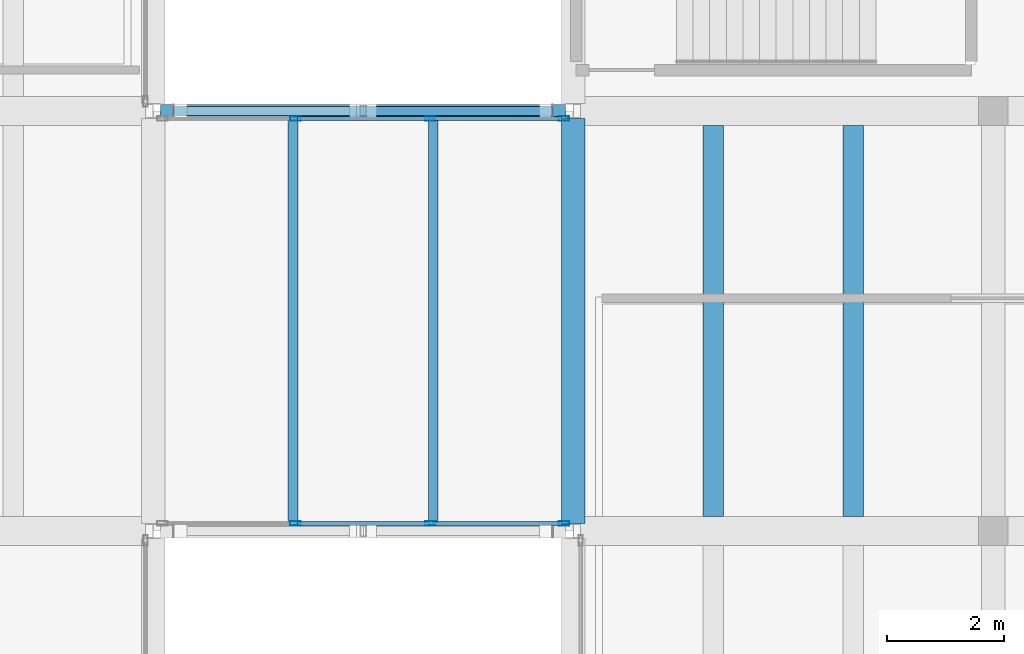
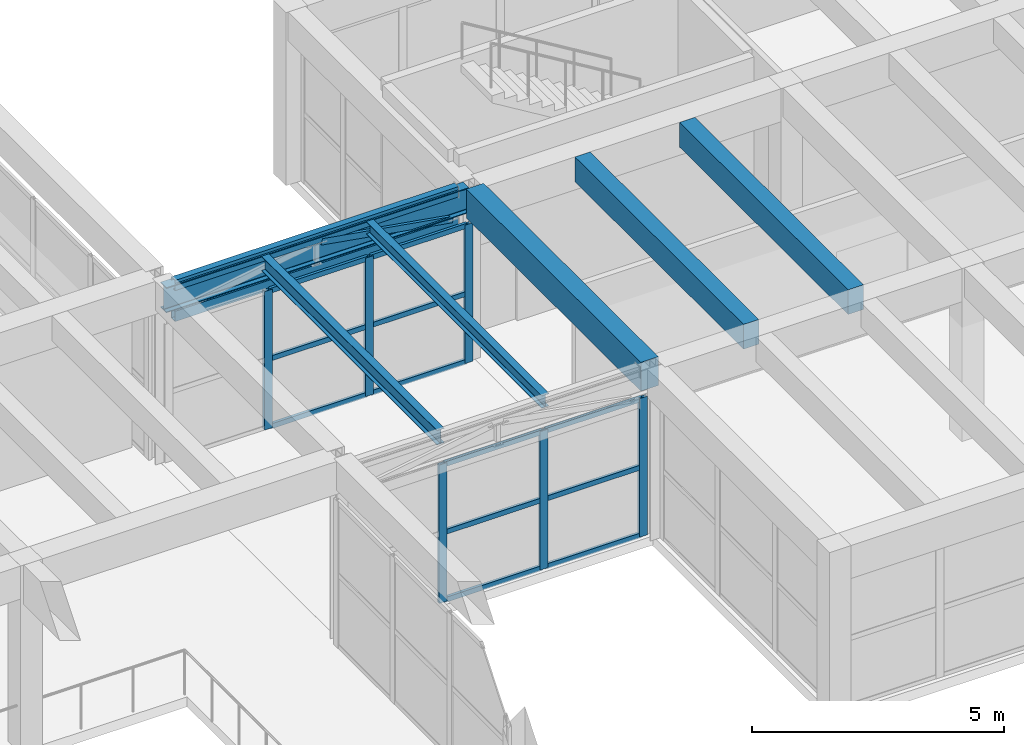
# One storey, part 52 of 153: 21 members, 6 beams, 2 elements without a shape of their own.
"""IFC4 building model written with IfcOpenShell, lengths in metres."""

from ifc_helpers import new_model, si_unit, direction, frame, origin, origin_2d, place, context, subcontext, project, spatial, rectangle, hollow_rectangle, i_section, extrude, material, material_profile, profile_set, type_object, element, aggregate, save


model = new_model("IFC4")

# Units and contexts
model_context = context("Model", 3, precision=1e-05, world=origin(), true_north=direction((0.0, 1.0)))
body_context = subcontext(model_context, "Body", "Model", "MODEL_VIEW")
ifc_project = project(units=[si_unit("LENGTHUNIT", "METRE"), si_unit("AREAUNIT", "SQUARE_METRE"), si_unit("VOLUMEUNIT", "CUBIC_METRE"), si_unit("PLANEANGLEUNIT", "RADIAN"), si_unit("MASSUNIT", "GRAM", prefix="KILO")], contexts=[model_context])

# Site, building, storey
site_placement = place(None, origin())
site = spatial("IfcSite", under=ifc_project, at=site_placement, CompositionType="ELEMENT")
building_placement = place(site_placement, origin())
building = spatial("IfcBuilding", under=site, at=building_placement, Name="Bramvelor Terrace Health Centre", CompositionType="ELEMENT")
storey_placement = place(building_placement, frame((0.0, 0.0, 4.800048828125)))
storey = spatial("IfcBuildingStorey", under=building, at=storey_placement, Name="L02", CompositionType="ELEMENT", Elevation=4.800048828125)

# Beams
ifc_material_1 = material(Name="Concrete C40/50", Category="concrete")
ifc_material_profile_1 = material_profile(ifc_material_1, rectangle(XDim=0.39990234375, YDim=0.699951171875, at=origin_2d()), Name="RC 400x700")
ifc_profile_set_1 = profile_set([ifc_material_profile_1], Name="Concrete C40/50")
beam_type_1 = type_object("IfcBeamType", Name="BM-RC-G700", PredefinedType="BEAM", material=ifc_profile_set_1)
beam_1_placement = place(storey_placement, frame((100.800048828125, 50.530029296875, 3.849853515625), z_axis=(0.0, 1.0, 0.0), x_axis=(-1.0, 0.0, 0.0)))
element("IfcBeam", 1, at=beam_1_placement, inside=storey, type_object=beam_type_1, Name="L02 Floor Girder", PredefinedType="BEAM", context=body_context, shape_type="SweptSolid", body=[
    extrude(rectangle(XDim=0.39990234375, YDim=0.699951171875, at=origin_2d()), origin(), (0.0, 0.0, 1.0), 6.93994140625),
])
ifc_material_2 = material(Name="Concrete C40/50", Category="concrete")
ifc_material_profile_2 = material_profile(ifc_material_2, rectangle(XDim=0.35009765625, YDim=0.60009765625, at=origin_2d()), Name="RC 350x600")
ifc_profile_set_2 = profile_set([ifc_material_profile_2], Name="Concrete C40/50")
beam_type_2 = type_object("IfcBeamType", Name="BM-RC-J600", PredefinedType="JOIST", material=ifc_profile_set_2)
for number, where, z_axis, x_axis, name in (
    (2, (103.199951171875, 50.64990234375, 3.89990234375), (0.0, 1.0, 0.0), (-1.0, 0.0, 0.0), "L02 Secondary Floor Joist"),
    (3, (105.60009765625, 50.64990234375, 3.89990234375), (0.0, 1.0, 0.0), (-1.0, 0.0, 0.0), "L02 Secondary Floor Joist"),
):
    element("IfcBeam", number, at=place(storey_placement, frame(where, z_axis=z_axis, x_axis=x_axis)), inside=storey, type_object=beam_type_2, Name=name, PredefinedType="JOIST", context=body_context, shape_type="SweptSolid", body=[
        extrude(rectangle(XDim=0.35009765625, YDim=0.60009765625, at=origin_2d()), origin(), (0.0, 0.0, 1.0), 6.7001953125),
    ])
ifc_material_3 = material(Name="Steel S355J2", Category="steel")
ifc_material_profile_3 = material_profile(ifc_material_3, i_section(OverallWidth=0.1650390625, OverallDepth=0.303466796875, WebThickness=0.006103515625, FlangeThickness=0.01025390625, FilletRadius=0.0087890625, at=origin_2d()), Name="UB 305x165x40")
ifc_profile_set_3 = profile_set([ifc_material_profile_3], Name="Steel S355J2")
beam_type_3 = type_object("IfcBeamType", Name="BM-STL-UB305", PredefinedType="JOIST", material=ifc_profile_set_3)
beam_2_placement = place(storey_placement, frame((98.39990234375, 50.514404296875, 4.04833984375), z_axis=(0.0, 1.0, 0.0), x_axis=(-1.0, 0.0, 0.0)))
element("IfcBeam", 4, at=beam_2_placement, inside=storey, type_object=beam_type_3, Name="L02 Secondary Floor Joist", PredefinedType="JOIST", context=body_context, shape_type="SweptSolid", body=[
    extrude(i_section(OverallWidth=0.1650390625, OverallDepth=0.303466796875, WebThickness=0.006103515625, FlangeThickness=0.01025390625, FilletRadius=0.0087890625, at=origin_2d()), origin(), (0.0, 0.0, 1.0), 6.97119140625),
])
ifc_material_4 = material(Name="Steel S355J2", Category="steel")
ifc_material_profile_4 = material_profile(ifc_material_4, i_section(OverallWidth=0.17138671875, OverallDepth=0.35498046875, WebThickness=0.00732421875, FlangeThickness=0.011474609375, FilletRadius=0.01025390625, at=origin_2d()), Name="UB 356x171x51")
ifc_profile_set_4 = profile_set([ifc_material_profile_4], Name="Steel S355J2")
beam_type_4 = type_object("IfcBeamType", Name="BM-STL-UB356", PredefinedType="JOIST", material=ifc_profile_set_4)
beam_3_placement = place(storey_placement, frame((96.0, 50.514404296875, 4.0224609375), z_axis=(0.0, 1.0, 0.0), x_axis=(-1.0, 0.0, 0.0)))
element("IfcBeam", 5, at=beam_3_placement, inside=storey, type_object=beam_type_4, Name="L02 Secondary Floor Joist", PredefinedType="JOIST", context=body_context, shape_type="SweptSolid", body=[
    extrude(i_section(OverallWidth=0.17138671875, OverallDepth=0.35498046875, WebThickness=0.00732421875, FlangeThickness=0.011474609375, FilletRadius=0.01025390625, at=origin_2d()), origin(), (0.0, 0.0, 1.0), 6.97119140625),
])
ifc_material_5 = material(Name="Steel S355J2", Category="steel")
ifc_material_profile_5 = material_profile(ifc_material_5, i_section(OverallWidth=0.22900390625, OverallDepth=0.6123046875, WebThickness=0.011962890625, FlangeThickness=0.01953125, FilletRadius=0.0126953125, at=origin_2d()), Name="UB 610x229x125")
ifc_profile_set_5 = profile_set([ifc_material_profile_5], Name="Steel S355J2")
beam_type_5 = type_object("IfcBeamType", Name="BM-STL-UB610", PredefinedType="BEAM", material=ifc_profile_set_5)
beam_4_placement = place(storey_placement, frame((93.72802734375, 57.60009765625, 3.893798828125), z_axis=(1.0, 0.0, 0.0), x_axis=(0.0, 1.0, 0.0)))
element("IfcBeam", 6, at=beam_4_placement, inside=storey, type_object=beam_type_5, Name="L02 Floor Girder", PredefinedType="BEAM", context=body_context, shape_type="SweptSolid", body=[
    extrude(i_section(OverallWidth=0.22900390625, OverallDepth=0.6123046875, WebThickness=0.011962890625, FlangeThickness=0.01953125, FilletRadius=0.0126953125, at=origin_2d()), origin(), (0.0, 0.0, 1.0), 6.94384765625),
])

# Curtain wall, members
ifc_material_6 = material(Name="Anodized aluminium and double low-E glass", Category="aluminium")
curtain_wall_type = type_object("IfcCurtainWallType", Name="CW-SYS-18", PredefinedType="NOTDEFINED", material=ifc_material_6)
curtain_wall_1_placement = place(storey_placement, origin())
curtain_wall_1 = element("IfcCurtainWall", 7, at=curtain_wall_1_placement, inside=storey, type_object=curtain_wall_type, Name="L02 Unitized Curtain Wall 99", PredefinedType="NOTDEFINED")
ifc_material_7 = material(Name="Anodized aluminium 6063-T6", Category="aluminium")
ifc_material_profile_6 = material_profile(ifc_material_7, hollow_rectangle(XDim=0.074951171875, YDim=0.179931640625, WallThickness=0.00341796875, at=origin_2d()), Name="ALU-MUL 75x180x3.5")
ifc_profile_set_6 = profile_set([ifc_material_profile_6], Name="Anodized aluminium 6063-T6")
member_type_1 = type_object("IfcMemberType", Name="CW-MUL-65x180", PredefinedType="MULLION", material=ifc_profile_set_6)
member_1_placement = place(storey_placement, frame((96.041015625, 57.469970703125, 0.0), z_axis=(0.0, 0.0, 1.0), x_axis=(0.0, 1.0, 0.0)))
member_1 = element("IfcMember", 8, at=member_1_placement, type_object=member_type_1, Name="CW-18 mullion 2", PredefinedType="MULLION", context=body_context, shape_type="SweptSolid", body=[
    extrude(hollow_rectangle(XDim=0.074951171875, YDim=0.179931640625, WallThickness=0.00341796875, at=origin_2d()), origin(), (0.0, 0.0, 1.0), 3.35986328125),
])
member_2_placement = place(storey_placement, frame((98.35888671875, 57.469970703125, 0.0), z_axis=(0.0, 0.0, 1.0), x_axis=(0.0, 1.0, 0.0)))
member_2 = element("IfcMember", 9, at=member_2_placement, type_object=member_type_1, Name="CW-18 mullion 3", PredefinedType="MULLION", context=body_context, shape_type="SweptSolid", body=[
    extrude(hollow_rectangle(XDim=0.074951171875, YDim=0.179931640625, WallThickness=0.00341796875, at=origin_2d()), origin(), (0.0, 0.0, 1.0), 3.35986328125),
])
member_3_placement = place(storey_placement, frame((100.639404296875, 57.469970703125, 0.0), z_axis=(0.0, 0.0, 1.0), x_axis=(0.0, 1.0, 0.0)))
member_3 = element("IfcMember", 10, at=member_3_placement, type_object=member_type_1, Name="CW-18 mullion 4", PredefinedType="MULLION", context=body_context, shape_type="SweptSolid", body=[
    extrude(hollow_rectangle(XDim=0.074951171875, YDim=0.179931640625, WallThickness=0.00341796875, at=origin_2d()), origin(), (0.0, 0.0, 1.0), 3.35986328125),
])

curtain_wall_2_placement = place(storey_placement, origin())
curtain_wall_2 = element("IfcCurtainWall", 11, at=curtain_wall_2_placement, inside=storey, type_object=curtain_wall_type, Name="L02 Unitized Curtain Wall 114", PredefinedType="NOTDEFINED")
member_4_placement = place(storey_placement, frame((100.639404296875, 50.530029296875, 0.0), z_axis=(0.0, 0.0, 1.0), x_axis=(0.0, -1.0, 0.0)))
member_4 = element("IfcMember", 12, at=member_4_placement, type_object=member_type_1, Name="CW-18 mullion 1", PredefinedType="MULLION", context=body_context, shape_type="SweptSolid", body=[
    extrude(hollow_rectangle(XDim=0.074951171875, YDim=0.179931640625, WallThickness=0.00341796875, at=origin_2d()), origin(), (0.0, 0.0, 1.0), 3.35986328125),
])
member_5_placement = place(storey_placement, frame((98.35888671875, 50.530029296875, 0.0), z_axis=(0.0, 0.0, 1.0), x_axis=(0.0, -1.0, 0.0)))
member_5 = element("IfcMember", 13, at=member_5_placement, type_object=member_type_1, Name="CW-18 mullion 2", PredefinedType="MULLION", context=body_context, shape_type="SweptSolid", body=[
    extrude(hollow_rectangle(XDim=0.074951171875, YDim=0.179931640625, WallThickness=0.00341796875, at=origin_2d()), origin(), (0.0, 0.0, 1.0), 3.35986328125),
])
member_6_placement = place(storey_placement, frame((96.041015625, 50.530029296875, 0.0), z_axis=(0.0, 0.0, 1.0), x_axis=(0.0, -1.0, 0.0)))
member_6 = element("IfcMember", 14, at=member_6_placement, type_object=member_type_1, Name="CW-18 mullion 3", PredefinedType="MULLION", context=body_context, shape_type="SweptSolid", body=[
    extrude(hollow_rectangle(XDim=0.074951171875, YDim=0.179931640625, WallThickness=0.00341796875, at=origin_2d()), origin(), (0.0, 0.0, 1.0), 3.35986328125),
])

# Member
ifc_material_8 = material(Name="Anodized aluminium 6063-T6", Category="aluminium")
ifc_material_profile_7 = material_profile(ifc_material_8, hollow_rectangle(XDim=0.06494140625, YDim=0.1201171875, WallThickness=0.0029296875, at=origin_2d()), Name="ALU-TRN 65x120x3.0")
ifc_profile_set_7 = profile_set([ifc_material_profile_7], Name="Anodized aluminium 6063-T6")
member_type_2 = type_object("IfcMemberType", Name="CW-TRN-65x150", PredefinedType="USERDEFINED", material=ifc_profile_set_7)
member_7_placement = place(storey_placement, frame((96.07861328125, 57.469970703125, 0.032470703125), z_axis=(1.0, 0.0, 0.0), x_axis=(0.0, 1.0, 0.0)))
member_7 = element("IfcMember", 15, at=member_7_placement, type_object=member_type_2, Name="CW-18 transom 2.1", ObjectType="TRANSOM", PredefinedType="USERDEFINED", context=body_context, shape_type="SweptSolid", body=[
    extrude(hollow_rectangle(XDim=0.06494140625, YDim=0.1201171875, WallThickness=0.0029296875, at=origin_2d()), origin(), (0.0, 0.0, 1.0), 2.242919921875),
])

member_8_placement = place(storey_placement, frame((96.07861328125, 57.469970703125, 1.679931640625), z_axis=(1.0, 0.0, 0.0), x_axis=(0.0, 1.0, 0.0)))
member_8 = element("IfcMember", 16, at=member_8_placement, type_object=member_type_2, Name="CW-18 transom 2.2", ObjectType="TRANSOM", PredefinedType="USERDEFINED", context=body_context, shape_type="SweptSolid", body=[
    extrude(hollow_rectangle(XDim=0.06494140625, YDim=0.1201171875, WallThickness=0.0029296875, at=origin_2d()), origin(), (0.0, 0.0, 1.0), 2.242919921875),
])

member_9_placement = place(storey_placement, frame((96.07861328125, 57.469970703125, 3.327392578125), z_axis=(1.0, 0.0, 0.0), x_axis=(0.0, 1.0, 0.0)))
member_9 = element("IfcMember", 17, at=member_9_placement, type_object=member_type_2, Name="CW-18 transom 2.3", ObjectType="TRANSOM", PredefinedType="USERDEFINED", context=body_context, shape_type="SweptSolid", body=[
    extrude(hollow_rectangle(XDim=0.06494140625, YDim=0.1201171875, WallThickness=0.0029296875, at=origin_2d()), origin(), (0.0, 0.0, 1.0), 2.242919921875),
])

member_10_placement = place(storey_placement, frame((98.396484375, 57.469970703125, 0.032470703125), z_axis=(1.0, 0.0, 0.0), x_axis=(0.0, 1.0, 0.0)))
member_10 = element("IfcMember", 18, at=member_10_placement, type_object=member_type_2, Name="CW-18 transom 3.1", ObjectType="TRANSOM", PredefinedType="USERDEFINED", context=body_context, shape_type="SweptSolid", body=[
    extrude(hollow_rectangle(XDim=0.06494140625, YDim=0.1201171875, WallThickness=0.0029296875, at=origin_2d()), origin(), (0.0, 0.0, 1.0), 2.205322265625),
])

member_11_placement = place(storey_placement, frame((98.396484375, 57.469970703125, 1.679931640625), z_axis=(1.0, 0.0, 0.0), x_axis=(0.0, 1.0, 0.0)))
member_11 = element("IfcMember", 19, at=member_11_placement, type_object=member_type_2, Name="CW-18 transom 3.2", ObjectType="TRANSOM", PredefinedType="USERDEFINED", context=body_context, shape_type="SweptSolid", body=[
    extrude(hollow_rectangle(XDim=0.06494140625, YDim=0.1201171875, WallThickness=0.0029296875, at=origin_2d()), origin(), (0.0, 0.0, 1.0), 2.205322265625),
])

member_12_placement = place(storey_placement, frame((98.396484375, 57.469970703125, 3.327392578125), z_axis=(1.0, 0.0, 0.0), x_axis=(0.0, 1.0, 0.0)))
member_12 = element("IfcMember", 20, at=member_12_placement, type_object=member_type_2, Name="CW-18 transom 3.3", ObjectType="TRANSOM", PredefinedType="USERDEFINED", context=body_context, shape_type="SweptSolid", body=[
    extrude(hollow_rectangle(XDim=0.06494140625, YDim=0.1201171875, WallThickness=0.0029296875, at=origin_2d()), origin(), (0.0, 0.0, 1.0), 2.205322265625),
])

aggregate(curtain_wall_1, [member_1, member_2, member_3, member_7, member_8, member_9, member_10, member_11, member_12])

member_13_placement = place(storey_placement, frame((100.601806640625, 50.530029296875, 0.032470703125), z_axis=(-1.0, 0.0, 0.0), x_axis=(0.0, -1.0, 0.0)))
member_13 = element("IfcMember", 21, at=member_13_placement, type_object=member_type_2, Name="CW-18 transom 1.1", ObjectType="TRANSOM", PredefinedType="USERDEFINED", context=body_context, shape_type="SweptSolid", body=[
    extrude(hollow_rectangle(XDim=0.06494140625, YDim=0.1201171875, WallThickness=0.0029296875, at=origin_2d()), origin(), (0.0, 0.0, 1.0), 2.205322265625),
])

member_14_placement = place(storey_placement, frame((100.601806640625, 50.530029296875, 1.679931640625), z_axis=(-1.0, 0.0, 0.0), x_axis=(0.0, -1.0, 0.0)))
member_14 = element("IfcMember", 22, at=member_14_placement, type_object=member_type_2, Name="CW-18 transom 1.2", ObjectType="TRANSOM", PredefinedType="USERDEFINED", context=body_context, shape_type="SweptSolid", body=[
    extrude(hollow_rectangle(XDim=0.06494140625, YDim=0.1201171875, WallThickness=0.0029296875, at=origin_2d()), origin(), (0.0, 0.0, 1.0), 2.205322265625),
])

member_15_placement = place(storey_placement, frame((100.601806640625, 50.530029296875, 3.327392578125), z_axis=(-1.0, 0.0, 0.0), x_axis=(0.0, -1.0, 0.0)))
member_15 = element("IfcMember", 23, at=member_15_placement, type_object=member_type_2, Name="CW-18 transom 1.3", ObjectType="TRANSOM", PredefinedType="USERDEFINED", context=body_context, shape_type="SweptSolid", body=[
    extrude(hollow_rectangle(XDim=0.06494140625, YDim=0.1201171875, WallThickness=0.0029296875, at=origin_2d()), origin(), (0.0, 0.0, 1.0), 2.205322265625),
])

member_16_placement = place(storey_placement, frame((98.321533203125, 50.530029296875, 0.032470703125), z_axis=(-1.0, 0.0, 0.0), x_axis=(0.0, -1.0, 0.0)))
member_16 = element("IfcMember", 24, at=member_16_placement, type_object=member_type_2, Name="CW-18 transom 2.1", ObjectType="TRANSOM", PredefinedType="USERDEFINED", context=body_context, shape_type="SweptSolid", body=[
    extrude(hollow_rectangle(XDim=0.06494140625, YDim=0.1201171875, WallThickness=0.0029296875, at=origin_2d()), origin(), (0.0, 0.0, 1.0), 2.242919921875),
])

member_17_placement = place(storey_placement, frame((98.321533203125, 50.530029296875, 1.679931640625), z_axis=(-1.0, 0.0, 0.0), x_axis=(0.0, -1.0, 0.0)))
member_17 = element("IfcMember", 25, at=member_17_placement, type_object=member_type_2, Name="CW-18 transom 2.2", ObjectType="TRANSOM", PredefinedType="USERDEFINED", context=body_context, shape_type="SweptSolid", body=[
    extrude(hollow_rectangle(XDim=0.06494140625, YDim=0.1201171875, WallThickness=0.0029296875, at=origin_2d()), origin(), (0.0, 0.0, 1.0), 2.242919921875),
])

member_18_placement = place(storey_placement, frame((98.321533203125, 50.530029296875, 3.327392578125), z_axis=(-1.0, 0.0, 0.0), x_axis=(0.0, -1.0, 0.0)))
member_18 = element("IfcMember", 26, at=member_18_placement, type_object=member_type_2, Name="CW-18 transom 2.3", ObjectType="TRANSOM", PredefinedType="USERDEFINED", context=body_context, shape_type="SweptSolid", body=[
    extrude(hollow_rectangle(XDim=0.06494140625, YDim=0.1201171875, WallThickness=0.0029296875, at=origin_2d()), origin(), (0.0, 0.0, 1.0), 2.242919921875),
])

aggregate(curtain_wall_2, [member_4, member_5, member_6, member_13, member_14, member_15, member_16, member_17, member_18])

# Members
ifc_material_9 = material(Name="Steel S355J2", Category="steel")
ifc_material_profile_8 = material_profile(ifc_material_9, hollow_rectangle(XDim=0.14990234375, YDim=0.25, WallThickness=0.008056640625, at=origin_2d()), Name="RHS 250x150x8.0")
ifc_profile_set_8 = profile_set([ifc_material_profile_8], Name="Steel S355J2")
member_type_3 = type_object("IfcMemberType", Name="MEM-STL-RHS250", PredefinedType="CHORD", material=ifc_profile_set_8)
for number, where, z_axis, x_axis, name in (
    (27, (93.949951171875, 57.60009765625, 3.39990234375), (1.0, 0.0, 0.0), (0.0, 1.0, 0.0), "BR3 Bridge Truss Bottom Chord"),
    (28, (93.949951171875, 57.60009765625, 4.14990234375), (1.0, 0.0, 0.0), (0.0, 1.0, 0.0), "BR3 Bridge Truss Top Chord"),
):
    element("IfcMember", number, at=place(storey_placement, frame(where, z_axis=z_axis, x_axis=x_axis)), inside=storey, type_object=member_type_3, Name=name, PredefinedType="CHORD", context=body_context, shape_type="SweptSolid", body=[
        extrude(hollow_rectangle(XDim=0.14990234375, YDim=0.25, WallThickness=0.008056640625, at=origin_2d()), origin(), (0.0, 0.0, 1.0), 6.5),
    ])
ifc_material_10 = material(Name="Steel S355J2", Category="steel")
ifc_material_profile_9 = material_profile(ifc_material_10, hollow_rectangle(XDim=0.14990234375, YDim=0.14990234375, WallThickness=0.00634765625, at=origin_2d()), Name="SHS 150x150x6.3")
ifc_profile_set_9 = profile_set([ifc_material_profile_9], Name="Steel S355J2")
member_type_4 = type_object("IfcMemberType", Name="MEM-STL-SHS150", PredefinedType="BRACE", material=ifc_profile_set_9)
member_19_placement = place(storey_placement, frame((97.320068359375, 57.60009765625, 4.030029296875), z_axis=(0.985947265653, 0.0, -0.167056844671), x_axis=(0.0, 1.0, 0.0)))
element("IfcMember", 29, at=member_19_placement, inside=storey, type_object=member_type_4, Name="BR3 Bridge Truss Web Diagonal 1", PredefinedType="BRACE", context=body_context, shape_type="SweptSolid", body=[
    extrude(hollow_rectangle(XDim=0.14990234375, YDim=0.14990234375, WallThickness=0.00634765625, at=origin_2d()), origin(), (0.0, 0.0, 1.0), 3.052978515625),
])

save(model, "model.ifc")
